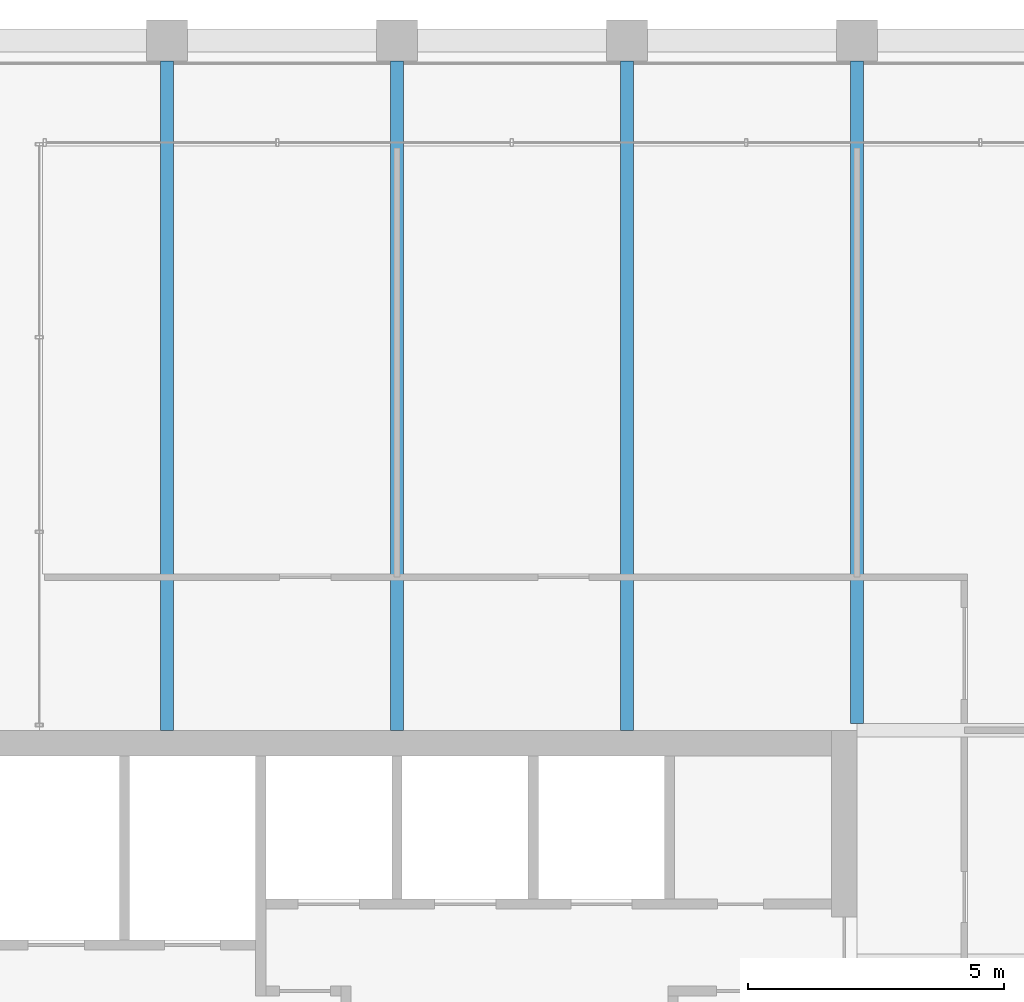
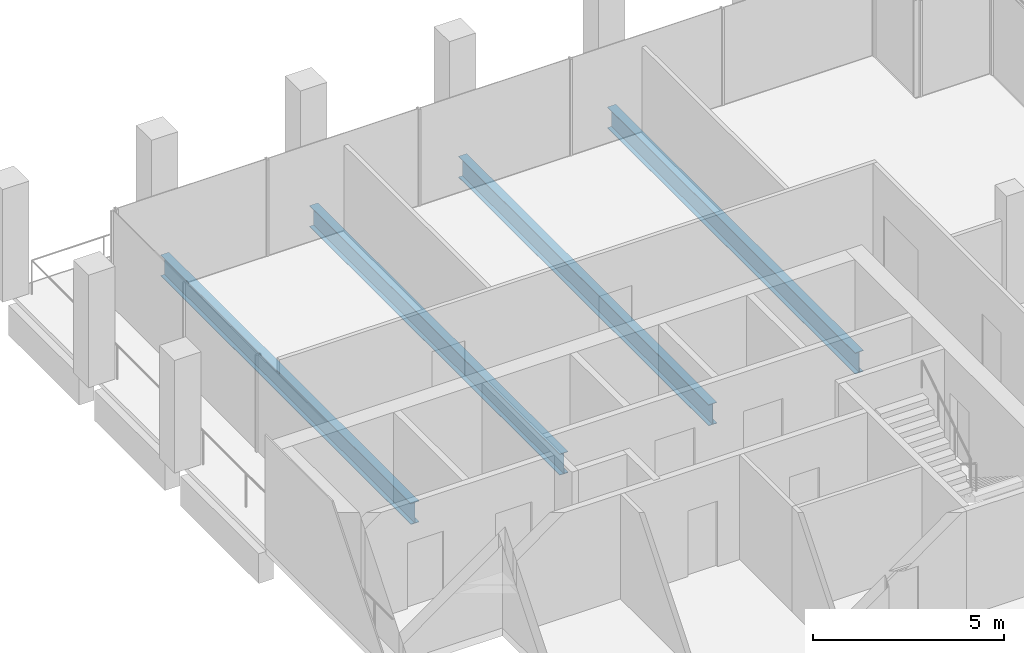
# One storey, part 22 of 30: 4 beams.
"""IFC4 building model written with IfcOpenShell, lengths in metres."""

from ifc_helpers import new_model, si_unit, direction, frame, origin, origin_2d, place, context, subcontext, project, spatial, i_section, extrude, material, material_profile, profile_set, type_object, element, save


model = new_model("IFC4")

# Units and contexts
model_context = context("Model", 3, precision=1e-05, world=origin(), true_north=direction((0.0, 1.0)))
body_context = subcontext(model_context, "Body", "Model", "MODEL_VIEW")
ifc_project = project(units=[si_unit("LENGTHUNIT", "METRE"), si_unit("AREAUNIT", "SQUARE_METRE"), si_unit("VOLUMEUNIT", "CUBIC_METRE"), si_unit("PLANEANGLEUNIT", "RADIAN"), si_unit("MASSUNIT", "GRAM", prefix="KILO")], contexts=[model_context])

# Site, building, storey
site_placement = place(None, origin())
site = spatial("IfcSite", under=ifc_project, at=site_placement, CompositionType="ELEMENT")
building_placement = place(site_placement, origin())
building = spatial("IfcBuilding", under=site, at=building_placement, Name="Altepetl Exchange Towers", CompositionType="ELEMENT")
storey_placement = place(building_placement, frame((0.0, 0.0, 235.199951171875)))
storey = spatial("IfcBuildingStorey", under=building, at=storey_placement, Name="L60", CompositionType="ELEMENT", Elevation=235.199951171875)

# Beams
ifc_material = material(Name="Steel S355", Category="steel")
ifc_material_profile = material_profile(ifc_material, i_section(OverallWidth=0.2529296875, OverallDepth=0.677978515625, WebThickness=0.01171875, FlangeThickness=0.016357421875, at=origin_2d()), Name="W27X84")
ifc_profile_set = profile_set([ifc_material_profile], Name="Steel S355")
beam_type = type_object("IfcBeamType", Name="Floor beam W27X84", PredefinedType="BEAM", material=ifc_profile_set)
for number, where, z_axis, x_axis, name in (
    (1, (45.0, 58.5, -0.489013671875), (0.0, 1.0, 0.0), (-1.0, 0.0, 0.0), "bm:A:L60:000"),
    (2, (49.5, 58.5, -0.489013671875), (0.0, 1.0, 0.0), (-1.0, 0.0, 0.0), "bm:A:L60:001"),
    (3, (54.0, 58.5, -0.489013671875), (0.0, 1.0, 0.0), (-1.0, 0.0, 0.0), "bm:A:L60:002"),
):
    element("IfcBeam", number, at=place(storey_placement, frame(where, z_axis=z_axis, x_axis=x_axis)), inside=storey, type_object=beam_type, Name=name, PredefinedType="BEAM", context=body_context, shape_type="SweptSolid", body=[
        extrude(i_section(OverallWidth=0.2529296875, OverallDepth=0.677978515625, WebThickness=0.01171875, FlangeThickness=0.016357421875, at=origin_2d()), origin(), (0.0, 0.0, 1.0), 13.10009765625),
    ])
beam_placement = place(storey_placement, frame((58.5, 58.634033203125, -0.489013671875), z_axis=(0.0, 1.0, 0.0), x_axis=(-1.0, 0.0, 0.0)))
element("IfcBeam", 4, at=beam_placement, inside=storey, type_object=beam_type, Name="bm:A:L60:003", PredefinedType="BEAM", context=body_context, shape_type="SweptSolid", body=[
    extrude(i_section(OverallWidth=0.2529296875, OverallDepth=0.677978515625, WebThickness=0.01171875, FlangeThickness=0.016357421875, at=origin_2d()), origin(), (0.0, 0.0, 1.0), 12.966064453125),
])

save(model, "model.ifc")
